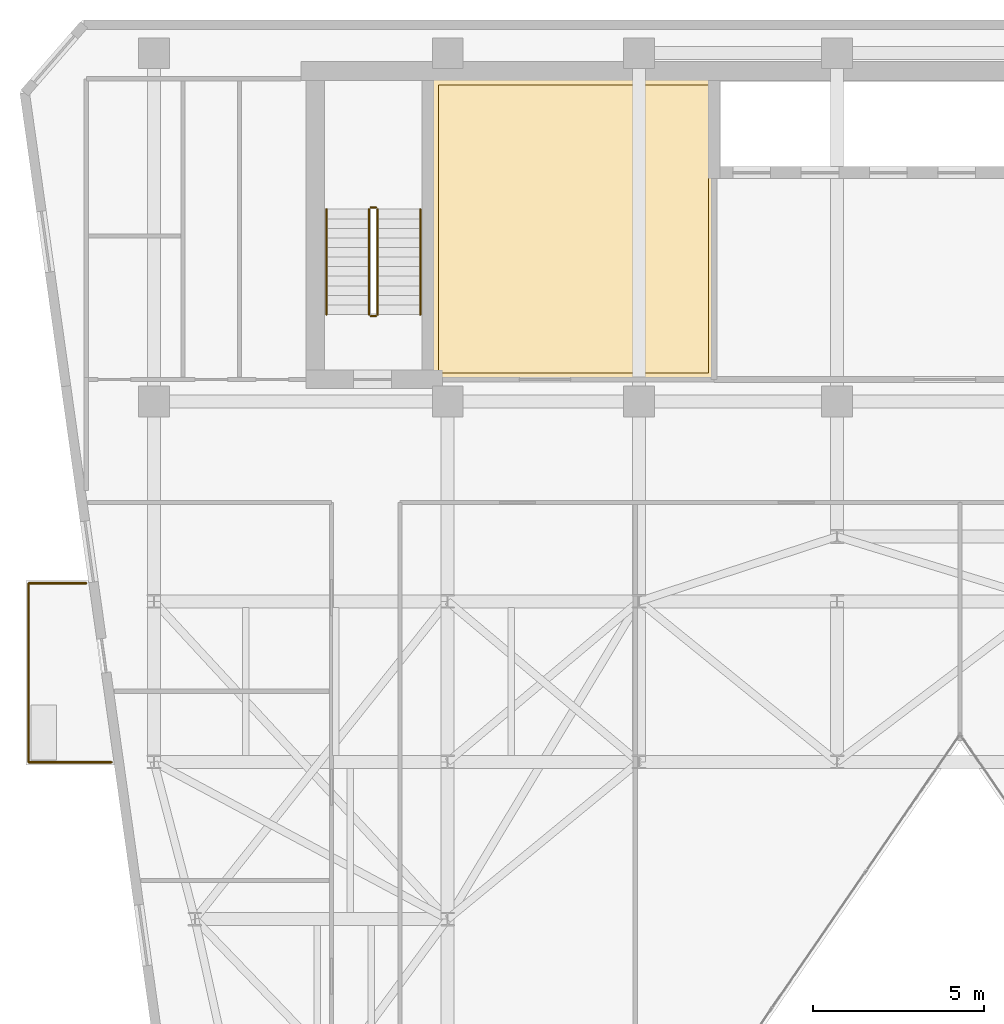
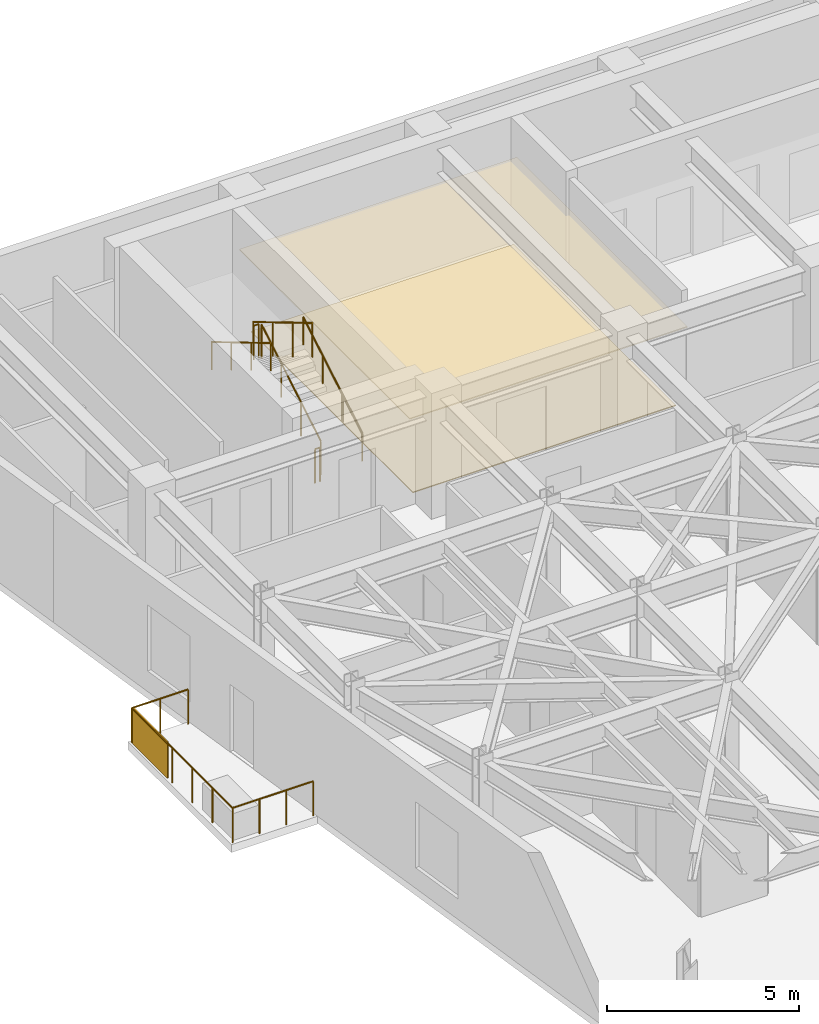
# One storey, part 19 of 21: 9 railings, 2 coverings, 1 shading device.
"""IFC4 building model written with IfcOpenShell, lengths in metres."""

from ifc_helpers import new_model, si_unit, direction, frame, origin, origin_2d, place, context, subcontext, project, spatial, polyline, rectangle, circle, outline, extrude, material, layer, layer_set, type_object, element, save


model = new_model("IFC4")

# Units and contexts
model_context = context("Model", 3, precision=1e-05, world=origin(), true_north=direction((0.0, 1.0)))
body_context = subcontext(model_context, "Body", "Model", "MODEL_VIEW")
ifc_project = project(units=[si_unit("LENGTHUNIT", "METRE"), si_unit("AREAUNIT", "SQUARE_METRE"), si_unit("VOLUMEUNIT", "CUBIC_METRE"), si_unit("PLANEANGLEUNIT", "RADIAN"), si_unit("MASSUNIT", "GRAM", prefix="KILO")], contexts=[model_context])

# Site, building, storey
site_placement = place(None, origin())
site = spatial("IfcSite", under=ifc_project, at=site_placement, CompositionType="ELEMENT")
building_placement = place(site_placement, origin())
building = spatial("IfcBuilding", under=site, at=building_placement, Name="Kravanh Interchange Tower", CompositionType="ELEMENT")
storey_placement = place(building_placement, frame((0.0, 0.0, 216.5)))
storey = spatial("IfcBuildingStorey", under=building, at=storey_placement, Name="L52", CompositionType="ELEMENT", Elevation=216.5)

# Coverings
ifc_material_1 = material(Name="Cementitious Terrazzo Tile")
ifc_layer_1 = layer(ifc_material_1, 0.030029296875)
ifc_layer_set_1 = layer_set([ifc_layer_1], Name="Honed Terrazzo Lobby Flooring 30mm")
covering_type_1 = type_object("IfcCoveringType", Name="Honed Terrazzo Lobby Flooring 30mm", PredefinedType="FLOORING", material=ifc_layer_set_1)
covering_1_placement = place(storey_placement, origin())
element("IfcCovering", 1, at=covering_1_placement, inside=storey, type_object=covering_type_1, Name="L52 Tenant Wellness and Prayer Suite Floor Finish", PredefinedType="FLOORING", context=body_context, shape_type="SweptSolid", body=[
    extrude(outline(polyline([(26.929931640625, 46.6201171875), (34.840087890625, 46.6201171875), (34.840087890625, 38.179931640625), (26.929931640625, 38.179931640625), (26.929931640625, 46.6201171875)])), origin(), (0.0, 0.0, 1.0), 0.030029296875),
])
ifc_material_2 = material(Name="Anodised Bronze Aluminium Acoustic Baffle", Category="aluminium")
ifc_layer_2 = layer(ifc_material_2, 0.034912109375)
ifc_layer_set_2 = layer_set([ifc_layer_2], Name="Linear Bronze Baffle Feature Ceiling 35mm")
covering_type_2 = type_object("IfcCoveringType", Name="Linear Bronze Baffle Feature Ceiling 35mm", PredefinedType="CEILING", material=ifc_layer_set_2)
covering_2_placement = place(storey_placement, frame((0.0, 0.0, 2.550048828125)))
element("IfcCovering", 2, at=covering_2_placement, inside=storey, type_object=covering_type_2, Name="L52 Tenant Wellness and Prayer Suite Suspended Ceiling", PredefinedType="CEILING", context=body_context, shape_type="SweptSolid", body=[
    extrude(outline(polyline([(35.06005859375, 37.9599609375), (26.7099609375, 37.9599609375), (26.7099609375, 46.840087890625), (35.06005859375, 46.840087890625), (35.06005859375, 37.9599609375)])), origin(), (0.0, 0.0, 1.0), 0.034912109375),
])

# Shading device
ifc_material_3 = material(Name="Perforated Anodised Bronze Aluminium", Category="aluminium")
ifc_layer_3 = layer(ifc_material_3, 0.0400390625)
ifc_layer_set_3 = layer_set([ifc_layer_3], Name="Perforated Bronze Balcony Privacy Screen 1150mm")
shading_device_type = type_object("IfcShadingDeviceType", Name="Perforated Bronze Balcony Privacy Screen 1150mm", PredefinedType="USERDEFINED", material=ifc_layer_set_3)
shading_device_placement = place(storey_placement, frame((14.93310546875, 31.06005859375, 0.0), z_axis=(0.0, 0.0, 1.0), x_axis=(1.0, 0.0, 0.0)))
element("IfcShadingDevice", 3, at=shading_device_placement, inside=storey, type_object=shading_device_type, Name="L52 W Perforated Bronze BALCONY SCREEN", ObjectType="SCREEN", PredefinedType="USERDEFINED", context=body_context, shape_type="SweptSolid", body=[
    extrude(rectangle(XDim=0.0400390625, YDim=1.800048828125, at=origin_2d()), origin(), (0.0, 0.0, 1.0), 1.14990234375),
])

# Railings
ifc_material_4 = material(Name="Stainless Steel 316", Category="steel")
ifc_layer_4 = layer(ifc_material_4, 0.06005859375)
ifc_layer_set_4 = layer_set([ifc_layer_4], Name="Perimeter Balcony and Terrace Guardrail Stainless 316 1120mm")
railing_type_1 = type_object("IfcRailingType", Name="Perimeter Balcony and Terrace Guardrail Stainless 316 1120mm", PredefinedType="GUARDRAIL", material=ifc_layer_set_4)
railing_1_placement = place(storey_placement, frame((14.93310546875, 26.7900390625, 0.0)))
element("IfcRailing", 4, at=railing_1_placement, inside=storey, type_object=railing_type_1, Name="L52 W Balcony Guardrail 1", PredefinedType="GUARDRAIL", context=body_context, shape_type="SweptSolid", body=[
    extrude(circle(Radius=0.02392578125, at=origin_2d()), frame((0.0, 0.0, 1.09619140625), z_axis=(0.0, 1.0, 0.0), x_axis=(-1.0, 0.0, 0.0)), (0.0, 0.0, 1.0), 5.239990234375),
    extrude(circle(Radius=0.02099609375, at=origin_2d()), origin(), (0.0, 0.0, 1.0), 1.072021484375),
    extrude(circle(Radius=0.02099609375, at=origin_2d()), frame((0.0, 1.048095703125, 0.0)), (0.0, 0.0, 1.0), 1.072021484375),
    extrude(circle(Radius=0.02099609375, at=origin_2d()), frame((0.0, 2.095947265625, 0.0)), (0.0, 0.0, 1.0), 1.072021484375),
    extrude(circle(Radius=0.02099609375, at=origin_2d()), frame((0.0, 3.14404296875, 0.0)), (0.0, 0.0, 1.0), 1.072021484375),
    extrude(circle(Radius=0.02099609375, at=origin_2d()), frame((0.0, 4.19189453125, 0.0)), (0.0, 0.0, 1.0), 1.072021484375),
    extrude(circle(Radius=0.02099609375, at=origin_2d()), frame((0.0, 5.239990234375, 0.0)), (0.0, 0.0, 1.0), 1.072021484375),
])
railing_2_placement = place(storey_placement, frame((14.93310546875, 32.030029296875, 0.0)))
element("IfcRailing", 5, at=railing_2_placement, inside=storey, type_object=railing_type_1, Name="L52 W Balcony Guardrail 2", PredefinedType="GUARDRAIL", context=body_context, shape_type="SweptSolid", body=[
    extrude(circle(Radius=0.02392578125, at=origin_2d()), frame((0.0, 0.0, 1.09619140625), z_axis=(1.0, 0.0, 0.0), x_axis=(0.0, 1.0, 0.0)), (0.0, 0.0, 1.0), 1.685791015625),
    extrude(circle(Radius=0.02099609375, at=origin_2d()), origin(), (0.0, 0.0, 1.0), 1.072021484375),
    extrude(circle(Radius=0.02099609375, at=origin_2d()), frame((0.8427734375, 0.0, 0.0)), (0.0, 0.0, 1.0), 1.072021484375),
    extrude(circle(Radius=0.02099609375, at=origin_2d()), frame((1.685791015625, 0.0, 0.0)), (0.0, 0.0, 1.0), 1.072021484375),
])
railing_3_placement = place(storey_placement, frame((17.355224609375, 26.7900390625, 0.0)))
element("IfcRailing", 6, at=railing_3_placement, inside=storey, type_object=railing_type_1, Name="L52 W Balcony Guardrail 3", PredefinedType="GUARDRAIL", context=body_context, shape_type="SweptSolid", body=[
    extrude(circle(Radius=0.02392578125, at=origin_2d()), frame((0.0, 0.0, 1.09619140625), z_axis=(-1.0, 0.0, 0.0), x_axis=(0.0, -1.0, 0.0)), (0.0, 0.0, 1.0), 2.422119140625),
    extrude(circle(Radius=0.02099609375, at=origin_2d()), origin(), (0.0, 0.0, 1.0), 1.072021484375),
    extrude(circle(Radius=0.02099609375, at=origin_2d()), frame((-0.807373046875, 0.0, 0.0)), (0.0, 0.0, 1.0), 1.072021484375),
    extrude(circle(Radius=0.02099609375, at=origin_2d()), frame((-1.61474609375, 0.0, 0.0)), (0.0, 0.0, 1.0), 1.072021484375),
    extrude(circle(Radius=0.02099609375, at=origin_2d()), frame((-2.422119140625, 0.0, 0.0)), (0.0, 0.0, 1.0), 1.072021484375),
])
ifc_material_5 = material(Name="Structural Steel S355", Category="steel")
ifc_layer_5 = layer(ifc_material_5, 0.050048828125)
ifc_layer_set_5 = layer_set([ifc_layer_5], Name="Stair Well Guardrail Structural Steel S355 1100mm")
railing_type_2 = type_object("IfcRailingType", Name="Stair Well Guardrail Structural Steel S355 1100mm", PredefinedType="GUARDRAIL", material=ifc_layer_set_5)
railing_4_placement = place(storey_placement, frame((25.14990234375, 39.89990234375, 0.166748046875)))
element("IfcRailing", 7, at=railing_4_placement, inside=storey, type_object=railing_type_2, Name="L52 ST3 stair guard 1", PredefinedType="GUARDRAIL", context=body_context, shape_type="SweptSolid", body=[
    extrude(circle(Radius=0.02392578125, at=origin_2d()), frame((0.0, 0.0, 1.076171875), z_axis=(0.0, 0.859308565015, 0.511457515432), x_axis=(-1.0, 0.0, 0.0)), (0.0, 0.0, 1.0), 3.58447265625),
    extrude(circle(Radius=0.02099609375, at=origin_2d()), origin(), (0.0, 0.0, 1.0), 1.052001953125),
    extrude(circle(Radius=0.02099609375, at=origin_2d()), frame((0.0, 1.026611328125, 0.611083984375)), (0.0, 0.0, 1.0), 1.052001953125),
    extrude(circle(Radius=0.02099609375, at=origin_2d()), frame((0.0, 2.053466796875, 1.22216796875)), (0.0, 0.0, 1.0), 1.052001953125),
    extrude(circle(Radius=0.02099609375, at=origin_2d()), frame((0.0, 3.080078125, 1.833251953125)), (0.0, 0.0, 1.0), 1.052001953125),
])
railing_5_placement = place(storey_placement, frame((25.10009765625, 43.030029296875, 2.0)))
element("IfcRailing", 8, at=railing_5_placement, inside=storey, type_object=railing_type_2, Name="L52 ST3 stair guard 2", PredefinedType="GUARDRAIL", context=body_context, shape_type="SweptSolid", body=[
    extrude(circle(Radius=0.02392578125, at=origin_2d()), frame((0.0, 0.0, 1.076171875), z_axis=(-1.0, 0.0, 0.0), x_axis=(0.0, -1.0, 0.0)), (0.0, 0.0, 1.0), 0.150146484375),
    extrude(circle(Radius=0.02099609375, at=origin_2d()), origin(), (0.0, 0.0, 1.0), 1.052001953125),
    extrude(circle(Radius=0.02099609375, at=origin_2d()), frame((-0.150146484375, 0.0, 0.0)), (0.0, 0.0, 1.0), 1.052001953125),
])
railing_6_placement = place(storey_placement, frame((24.89990234375, 42.97998046875, 2.166748046875)))
element("IfcRailing", 9, at=railing_6_placement, inside=storey, type_object=railing_type_2, Name="L52 ST3 stair guard 3", PredefinedType="GUARDRAIL", context=body_context, shape_type="SweptSolid", body=[
    extrude(circle(Radius=0.02392578125, at=origin_2d()), frame((0.0, 0.0, 1.076171875), z_axis=(0.0, -0.859308565015, 0.511457515432), x_axis=(1.0, 0.0, 0.0)), (0.0, 0.0, 1.0), 3.58447265625),
    extrude(circle(Radius=0.02099609375, at=origin_2d()), origin(), (0.0, 0.0, 1.0), 1.052001953125),
    extrude(circle(Radius=0.02099609375, at=origin_2d()), frame((0.0, -1.026611328125, 0.611083984375)), (0.0, 0.0, 1.0), 1.052001953125),
    extrude(circle(Radius=0.02099609375, at=origin_2d()), frame((0.0, -2.053466796875, 1.22216796875)), (0.0, 0.0, 1.0), 1.052001953125),
    extrude(circle(Radius=0.02099609375, at=origin_2d()), frame((0.0, -3.080078125, 1.833251953125)), (0.0, 0.0, 1.0), 1.052001953125),
])
railing_7_placement = place(storey_placement, frame((25.10009765625, 39.85009765625, 0.0)))
element("IfcRailing", 10, at=railing_7_placement, inside=storey, type_object=railing_type_2, Name="L52 ST3 stair guard 4", PredefinedType="GUARDRAIL", context=body_context, shape_type="SweptSolid", body=[
    extrude(circle(Radius=0.02392578125, at=origin_2d()), frame((0.0, 0.0, 1.076171875), z_axis=(-1.0, 0.0, 0.0), x_axis=(0.0, -1.0, 0.0)), (0.0, 0.0, 1.0), 0.150146484375),
    extrude(circle(Radius=0.02099609375, at=origin_2d()), origin(), (0.0, 0.0, 1.0), 1.052001953125),
    extrude(circle(Radius=0.02099609375, at=origin_2d()), frame((-0.150146484375, 0.0, 0.0)), (0.0, 0.0, 1.0), 1.052001953125),
])
ifc_material_6 = material(Name="Stainless Steel 304", Category="steel")
ifc_layer_6 = layer(ifc_material_6, 0.044921875)
ifc_layer_set_6 = layer_set([ifc_layer_6], Name="Tubular Stair Handrail Stainless 304 900mm")
railing_type_3 = type_object("IfcRailingType", Name="Tubular Stair Handrail Stainless 304 900mm", PredefinedType="HANDRAIL", material=ifc_layer_set_6)
railing_8_placement = place(storey_placement, frame((26.39990234375, 39.89990234375, 0.166748046875)))
element("IfcRailing", 11, at=railing_8_placement, inside=storey, type_object=railing_type_3, Name="L52 ST3 stair handrail 1", PredefinedType="HANDRAIL", context=body_context, shape_type="SweptSolid", body=[
    extrude(circle(Radius=0.02392578125, at=origin_2d()), frame((0.0, 0.0, 0.8759765625), z_axis=(0.0, 0.859308565015, 0.511457515432), x_axis=(-1.0, 0.0, 0.0)), (0.0, 0.0, 1.0), 3.58447265625),
    extrude(circle(Radius=0.02099609375, at=origin_2d()), origin(), (0.0, 0.0, 1.0), 0.851806640625),
    extrude(circle(Radius=0.02099609375, at=origin_2d()), frame((0.0, 1.026611328125, 0.611083984375)), (0.0, 0.0, 1.0), 0.851806640625),
    extrude(circle(Radius=0.02099609375, at=origin_2d()), frame((0.0, 2.053466796875, 1.22216796875)), (0.0, 0.0, 1.0), 0.851806640625),
    extrude(circle(Radius=0.02099609375, at=origin_2d()), frame((0.0, 3.080078125, 1.833251953125)), (0.0, 0.0, 1.0), 0.851806640625),
])
railing_9_placement = place(storey_placement, frame((23.64990234375, 42.97998046875, 2.166748046875)))
element("IfcRailing", 12, at=railing_9_placement, inside=storey, type_object=railing_type_3, Name="L52 ST3 stair handrail 2", PredefinedType="HANDRAIL", context=body_context, shape_type="SweptSolid", body=[
    extrude(circle(Radius=0.02392578125, at=origin_2d()), frame((0.0, 0.0, 0.8759765625), z_axis=(0.0, -0.859308565015, 0.511457515432), x_axis=(1.0, 0.0, 0.0)), (0.0, 0.0, 1.0), 3.58447265625),
    extrude(circle(Radius=0.02099609375, at=origin_2d()), origin(), (0.0, 0.0, 1.0), 0.851806640625),
    extrude(circle(Radius=0.02099609375, at=origin_2d()), frame((0.0, -1.026611328125, 0.611083984375)), (0.0, 0.0, 1.0), 0.851806640625),
    extrude(circle(Radius=0.02099609375, at=origin_2d()), frame((0.0, -2.053466796875, 1.22216796875)), (0.0, 0.0, 1.0), 0.851806640625),
    extrude(circle(Radius=0.02099609375, at=origin_2d()), frame((0.0, -3.080078125, 1.833251953125)), (0.0, 0.0, 1.0), 0.851806640625),
])

save(model, "model.ifc")
